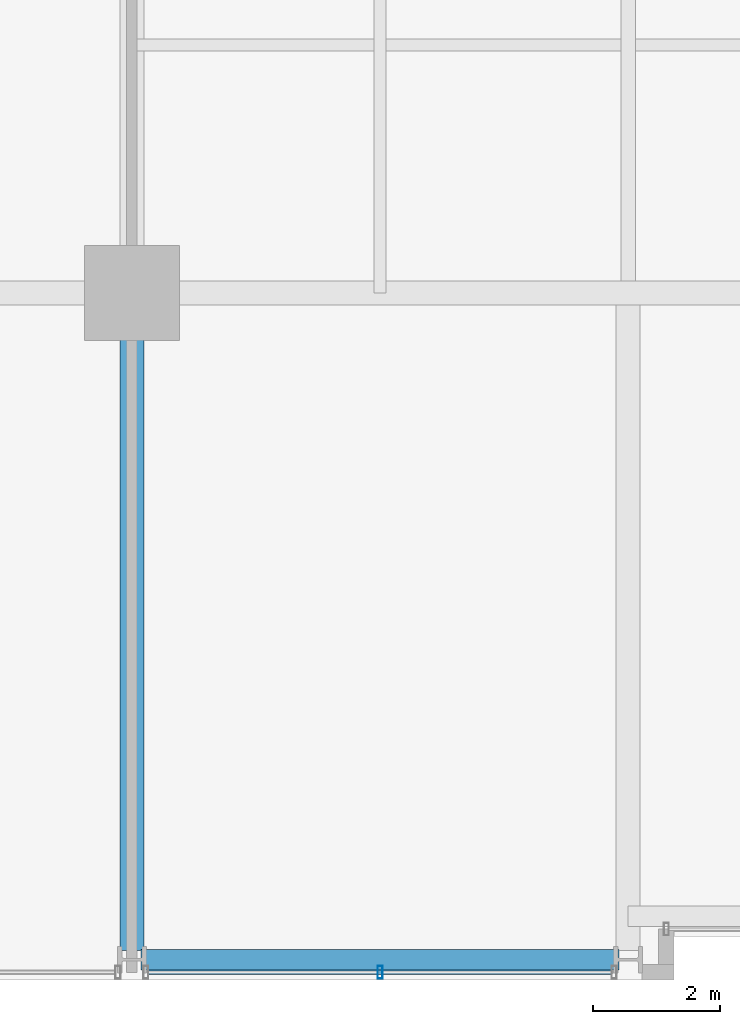
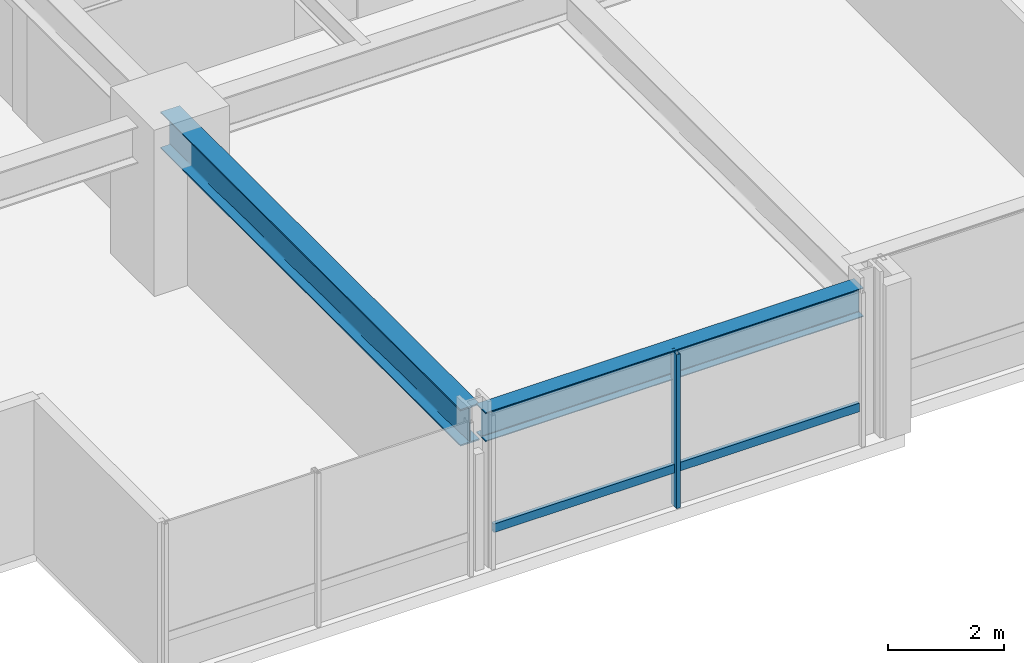
# One storey, part 3 of 34: 2 beams, 2 members, 1 element without a shape of its own.
"""IFC4 building model written with IfcOpenShell, lengths in metres."""

from ifc_helpers import new_model, si_unit, direction, frame, origin, origin_2d, place, context, subcontext, project, spatial, hollow_rectangle, i_section, extrude, material, layer, layer_set, material_profile, profile_set, type_object, element, aggregate, save


model = new_model("IFC4")

# Units and contexts
model_context = context("Model", 3, precision=1e-05, world=origin(), true_north=direction((0.0, 1.0)))
body_context = subcontext(model_context, "Body", "Model", "MODEL_VIEW")
ifc_project = project(units=[si_unit("LENGTHUNIT", "METRE"), si_unit("AREAUNIT", "SQUARE_METRE"), si_unit("VOLUMEUNIT", "CUBIC_METRE"), si_unit("PLANEANGLEUNIT", "RADIAN"), si_unit("MASSUNIT", "GRAM", prefix="KILO")], contexts=[model_context])

# Site, building, storey
site_placement = place(None, origin())
site = spatial("IfcSite", under=ifc_project, at=site_placement, CompositionType="ELEMENT")
building_placement = place(site_placement, origin())
building = spatial("IfcBuilding", under=site, at=building_placement, Name="Drelvath Grand Hotel", CompositionType="ELEMENT")
storey_placement = place(building_placement, frame((0.0, 0.0, 109.300048828125)))
storey = spatial("IfcBuildingStorey", under=building, at=storey_placement, Name="L27", CompositionType="ELEMENT", Elevation=109.300048828125)

# Curtain wall, members
ifc_material_1 = material(Name="Champagne Bronze Anodised Aluminium Frame", Category="aluminium")
ifc_layer = layer(ifc_material_1, 0.199951171875)
ifc_layer_set = layer_set([ifc_layer], Name="Champagne Bronze Anodised Aluminium Frame")
curtain_wall_type = type_object("IfcCurtainWallType", Name="Stick Curtain Wall CW-03 Champagne Bronze Mid-Rise", PredefinedType="NOTDEFINED", material=ifc_layer_set)
curtain_wall_placement = place(storey_placement, origin())
curtain_wall = element("IfcCurtainWall", 1, at=curtain_wall_placement, inside=storey, type_object=curtain_wall_type, Name="L27 CW-03 Curtain Wall CW03-L27-SW2", PredefinedType="NOTDEFINED")
ifc_material_profile_1 = material_profile(ifc_material_1, hollow_rectangle(XDim=0.074951171875, YDim=0.179931640625, WallThickness=0.0048828125, at=origin_2d()), Name="HSS180X75X5")
ifc_profile_set_1 = profile_set([ifc_material_profile_1], Name="Champagne Bronze Anodised Aluminium Frame")
member_type_1 = type_object("IfcMemberType", Name="Curtain Wall Horizontal Transom CW-03 HSS180X75X5", PredefinedType="USERDEFINED", material=ifc_profile_set_1)
member_1_placement = place(storey_placement, frame((-8.65966796875, 0.1201171875, 0.81005859375), z_axis=(-1.0, 0.0, 0.0), x_axis=(0.0, -1.0, 0.0)))
member_1 = element("IfcMember", 2, at=member_1_placement, type_object=member_type_1, Name="CW03-L27-SW2 Sill Transom", ObjectType="TRANSOM", PredefinedType="USERDEFINED", context=body_context, shape_type="SweptSolid", body=[
    extrude(hollow_rectangle(XDim=0.074951171875, YDim=0.179931640625, WallThickness=0.0048828125, at=origin_2d()), origin(), (0.0, 0.0, 1.0), 7.28076171875),
])
ifc_material_profile_2 = material_profile(ifc_material_1, hollow_rectangle(XDim=0.080078125, YDim=0.199951171875, WallThickness=0.0048828125, at=origin_2d()), Name="HSS200X80X5")
ifc_profile_set_2 = profile_set([ifc_material_profile_2], Name="Champagne Bronze Anodised Aluminium Frame")
member_type_2 = type_object("IfcMemberType", Name="Curtain Wall Vertical Mullion CW-03 HSS200X80X5", PredefinedType="MULLION", material=ifc_profile_set_2)
member_2_placement = place(storey_placement, frame((-12.300048828125, 0.1201171875, 0.0), z_axis=(0.0, 0.0, 1.0), x_axis=(1.0, 0.0, 0.0)))
member_2 = element("IfcMember", 3, at=member_2_placement, type_object=member_type_2, Name="CW03-L27-SW2 Mullion 2", PredefinedType="MULLION", context=body_context, shape_type="SweptSolid", body=[
    extrude(hollow_rectangle(XDim=0.080078125, YDim=0.199951171875, WallThickness=0.0048828125, at=origin_2d()), origin(), (0.0, 0.0, 1.0), 3.239990234375),
])
aggregate(curtain_wall, [member_2, member_1])

# Beams
ifc_material_2 = material(Name="Steel ASTM A992 Gr 50", Category="steel")
ifc_material_profile_3 = material_profile(ifc_material_2, i_section(OverallWidth=0.323974609375, OverallDepth=0.611083984375, WebThickness=0.0126953125, FlangeThickness=0.01904296875, FilletRadius=0.02197265625, at=origin_2d()), Name="W24X104")
ifc_profile_set_3 = profile_set([ifc_material_profile_3], Name="Steel ASTM A992 Gr 50")
beam_type_1 = type_object("IfcBeamType", Name="Perimeter Spandrel Beam W24X104", PredefinedType="SPANDREL", material=ifc_profile_set_3)
beam_1_placement = place(storey_placement, frame((-16.06005859375, 0.320068359375, 2.9345703125), z_axis=(1.0, 0.0, 0.0), x_axis=(0.0, 1.0, 0.0)))
element("IfcBeam", 4, at=beam_1_placement, inside=storey, type_object=beam_type_1, Name="L27 Spandrel South W", PredefinedType="SPANDREL", context=body_context, shape_type="SweptSolid", body=[
    extrude(i_section(OverallWidth=0.323974609375, OverallDepth=0.611083984375, WebThickness=0.0126953125, FlangeThickness=0.01904296875, FilletRadius=0.02197265625, at=origin_2d()), origin(), (0.0, 0.0, 1.0), 7.52001953125),
])
ifc_material_profile_4 = material_profile(ifc_material_2, i_section(OverallWidth=0.380615234375, OverallDepth=0.773193359375, WebThickness=0.0166015625, FlangeThickness=0.027099609375, FilletRadius=0.02490234375, at=origin_2d()), Name="W30X173")
ifc_profile_set_4 = profile_set([ifc_material_profile_4], Name="Steel ASTM A992 Gr 50")
beam_type_2 = type_object("IfcBeamType", Name="Primary Floor Girder W30X173", PredefinedType="BEAM", material=ifc_profile_set_4)
beam_2_placement = place(storey_placement, frame((-16.199951171875, 0.4599609375, 2.853271484375), z_axis=(0.0, 1.0, 0.0), x_axis=(-1.0, 0.0, 0.0)))
element("IfcBeam", 5, at=beam_2_placement, inside=storey, type_object=beam_type_2, Name="L27 South Grid Girder 3", PredefinedType="BEAM", context=body_context, shape_type="SweptSolid", body=[
    extrude(i_section(OverallWidth=0.380615234375, OverallDepth=0.773193359375, WebThickness=0.0166015625, FlangeThickness=0.027099609375, FilletRadius=0.02490234375, at=origin_2d()), origin(), (0.0, 0.0, 1.0), 10.340087890625),
])

save(model, "model.ifc")
